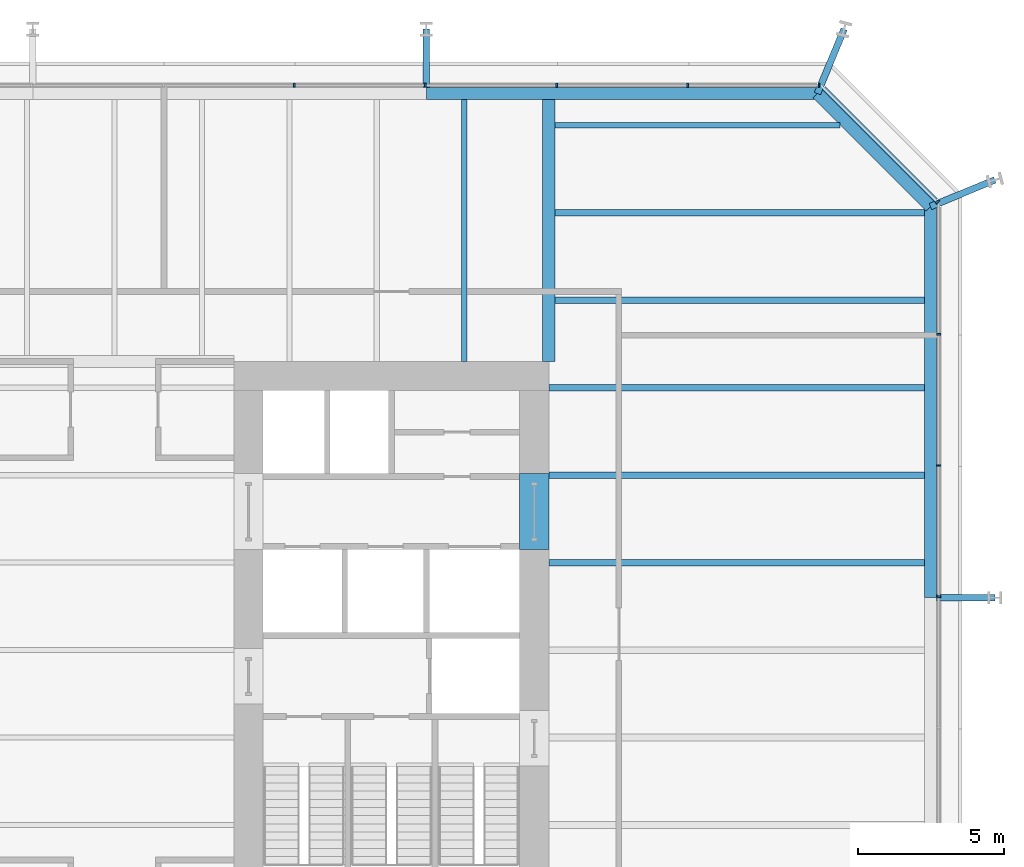
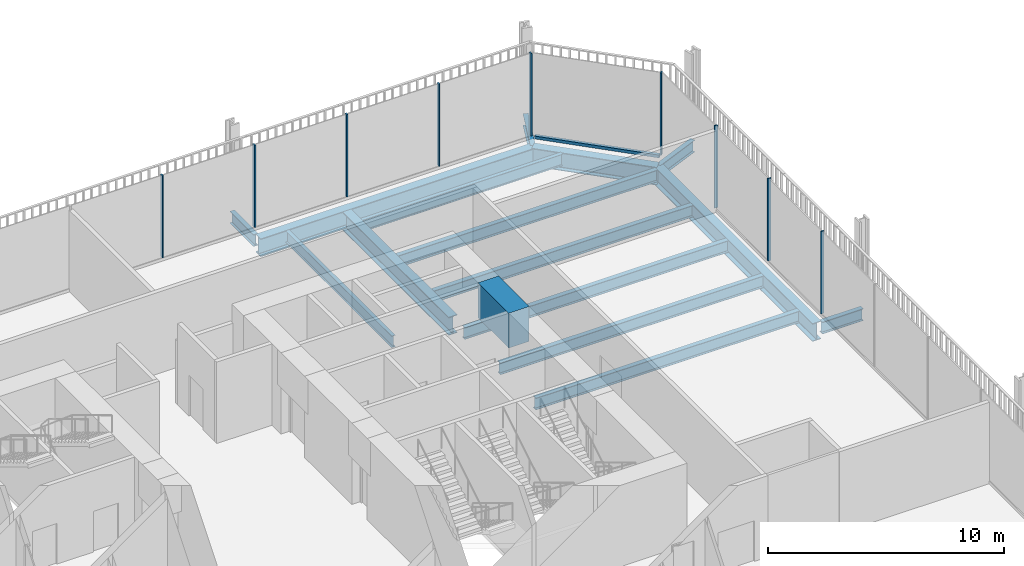
# One storey, part 14 of 20: 16 beams, 10 members, 3 elements without a shape of their own.
"""IFC4 building model written with IfcOpenShell, lengths in metres."""

from ifc_helpers import new_model, si_unit, direction, frame, origin, origin_2d, place, context, subcontext, project, spatial, rectangle, i_section, extrude, material, layer, layer_set, material_profile, profile_set, type_object, element, aggregate, save


model = new_model("IFC4")

# Units and contexts
model_context = context("Model", 3, precision=1e-05, world=origin(), true_north=direction((0.0, 1.0)))
body_context = subcontext(model_context, "Body", "Model", "MODEL_VIEW")
ifc_project = project(units=[si_unit("LENGTHUNIT", "METRE"), si_unit("AREAUNIT", "SQUARE_METRE"), si_unit("VOLUMEUNIT", "CUBIC_METRE"), si_unit("PLANEANGLEUNIT", "RADIAN"), si_unit("MASSUNIT", "GRAM", prefix="KILO")], contexts=[model_context])

# Site, building, storey
site_placement = place(None, origin())
site = spatial("IfcSite", under=ifc_project, at=site_placement, CompositionType="ELEMENT")
building_placement = place(site_placement, origin())
building = spatial("IfcBuilding", under=site, at=building_placement, Name="Millrace Tower", CompositionType="ELEMENT")
storey_placement = place(building_placement, frame((0.0, 0.0, 99.60009765625)))
storey = spatial("IfcBuildingStorey", under=building, at=storey_placement, Name="L22", CompositionType="ELEMENT", Elevation=99.60009765625)

# Curtain wall, members
ifc_material_1 = material(Name="Aluminium and glass", Category="aluminium")
ifc_layer = layer(ifc_material_1, 0.14990234375)
ifc_layer_set = layer_set([ifc_layer], Name="Aluminium and glass")
curtain_wall_type = type_object("IfcCurtainWallType", Name="CW-3 telecom floor curtain wall", PredefinedType="NOTDEFINED", material=ifc_layer_set)
placement = place(storey_placement, origin())
curtain_wall_1 = element("IfcCurtainWall", 1, at=placement, inside=storey, type_object=curtain_wall_type, Name="Curtain wall B-F04 L22", PredefinedType="NOTDEFINED")
ifc_material_2 = material(Name="Aluminium", Category="aluminium")
ifc_material_profile_1 = material_profile(ifc_material_2, rectangle(XDim=0.06494140625, YDim=0.14990234375, at=origin_2d()))
ifc_profile_set_1 = profile_set([ifc_material_profile_1], Name="Aluminium")
member_type_1 = type_object("IfcMemberType", Name="CW-3 telecom floor curtain wall mullion", PredefinedType="MULLION", material=ifc_profile_set_1)
member_1_placement = place(storey_placement, frame((28.27490234375, 1.83251953125, 0.14990234375), z_axis=(0.0, 0.0, 1.0), x_axis=(0.0, 1.0, 0.0)))
member_1 = element("IfcMember", 2, at=member_1_placement, type_object=member_type_1, Name="CW3 mullion B-F04.7", PredefinedType="MULLION", context=body_context, shape_type="SweptSolid", body=[
    extrude(rectangle(XDim=0.06494140625, YDim=0.14990234375, at=origin_2d()), origin(), (0.0, 0.0, 1.0), 4.25),
])
member_2_placement = place(storey_placement, frame((28.27490234375, 6.33251953125, 0.14990234375), z_axis=(0.0, 0.0, 1.0), x_axis=(0.0, 1.0, 0.0)))
member_2 = element("IfcMember", 3, at=member_2_placement, type_object=member_type_1, Name="CW3 mullion B-F04.8", PredefinedType="MULLION", context=body_context, shape_type="SweptSolid", body=[
    extrude(rectangle(XDim=0.06494140625, YDim=0.14990234375, at=origin_2d()), origin(), (0.0, 0.0, 1.0), 4.25),
])
member_3_placement = place(storey_placement, frame((28.27490234375, 10.83251953125, 0.14990234375), z_axis=(0.0, 0.0, 1.0), x_axis=(0.0, 1.0, 0.0)))
member_3 = element("IfcMember", 4, at=member_3_placement, type_object=member_type_1, Name="CW3 mullion B-F04.9", PredefinedType="MULLION", context=body_context, shape_type="SweptSolid", body=[
    extrude(rectangle(XDim=0.06494140625, YDim=0.14990234375, at=origin_2d()), origin(), (0.0, 0.0, 1.0), 4.25),
])
aggregate(curtain_wall_1, [member_1, member_2, member_3])

# Curtain wall, member
curtain_wall_2 = element("IfcCurtainWall", 5, at=placement, inside=storey, type_object=curtain_wall_type, Name="Curtain wall B-F05 L22", PredefinedType="NOTDEFINED")
member_4_placement = place(storey_placement, frame((28.22998046875, 15.3759765625, 0.14990234375), z_axis=(0.0, 0.0, 1.0), x_axis=(-0.707106781187, 0.707106781187, 0.0)))
member_4 = element("IfcMember", 6, at=member_4_placement, type_object=member_type_1, Name="CW3 mullion B-F05.1", PredefinedType="MULLION", context=body_context, shape_type="SweptSolid", body=[
    extrude(rectangle(XDim=0.06494140625, YDim=0.14990234375, at=origin_2d()), origin(), (0.0, 0.0, 1.0), 4.25),
])

# Curtain wall, members
curtain_wall_3 = element("IfcCurtainWall", 7, at=placement, inside=storey, type_object=curtain_wall_type, Name="Curtain wall B-F06 L22", PredefinedType="NOTDEFINED")
member_5_placement = place(storey_placement, frame((24.16748046875, 19.375, 0.14990234375), z_axis=(0.0, 0.0, 1.0), x_axis=(-1.0, 0.0, 0.0)))
member_5 = element("IfcMember", 8, at=member_5_placement, type_object=member_type_1, Name="CW3 mullion B-F06.1", PredefinedType="MULLION", context=body_context, shape_type="SweptSolid", body=[
    extrude(rectangle(XDim=0.06494140625, YDim=0.14990234375, at=origin_2d()), origin(), (0.0, 0.0, 1.0), 4.25),
])
member_6_placement = place(storey_placement, frame((19.66748046875, 19.375, 0.14990234375), z_axis=(0.0, 0.0, 1.0), x_axis=(-1.0, 0.0, 0.0)))
member_6 = element("IfcMember", 9, at=member_6_placement, type_object=member_type_1, Name="CW3 mullion B-F06.2", PredefinedType="MULLION", context=body_context, shape_type="SweptSolid", body=[
    extrude(rectangle(XDim=0.06494140625, YDim=0.14990234375, at=origin_2d()), origin(), (0.0, 0.0, 1.0), 4.25),
])
member_7_placement = place(storey_placement, frame((15.16748046875, 19.375, 0.14990234375), z_axis=(0.0, 0.0, 1.0), x_axis=(-1.0, 0.0, 0.0)))
member_7 = element("IfcMember", 10, at=member_7_placement, type_object=member_type_1, Name="CW3 mullion B-F06.3", PredefinedType="MULLION", context=body_context, shape_type="SweptSolid", body=[
    extrude(rectangle(XDim=0.06494140625, YDim=0.14990234375, at=origin_2d()), origin(), (0.0, 0.0, 1.0), 4.25),
])
member_8_placement = place(storey_placement, frame((10.66748046875, 19.375, 0.14990234375), z_axis=(0.0, 0.0, 1.0), x_axis=(-1.0, 0.0, 0.0)))
member_8 = element("IfcMember", 11, at=member_8_placement, type_object=member_type_1, Name="CW3 mullion B-F06.4", PredefinedType="MULLION", context=body_context, shape_type="SweptSolid", body=[
    extrude(rectangle(XDim=0.06494140625, YDim=0.14990234375, at=origin_2d()), origin(), (0.0, 0.0, 1.0), 4.25),
])
member_9_placement = place(storey_placement, frame((6.16748046875, 19.375, 0.14990234375), z_axis=(0.0, 0.0, 1.0), x_axis=(-1.0, 0.0, 0.0)))
member_9 = element("IfcMember", 12, at=member_9_placement, type_object=member_type_1, Name="CW3 mullion B-F06.5", PredefinedType="MULLION", context=body_context, shape_type="SweptSolid", body=[
    extrude(rectangle(XDim=0.06494140625, YDim=0.14990234375, at=origin_2d()), origin(), (0.0, 0.0, 1.0), 4.25),
])
aggregate(curtain_wall_3, [member_5, member_6, member_7, member_8, member_9])

# Member
ifc_material_3 = material(Name="Aluminium", Category="aluminium")
ifc_material_profile_2 = material_profile(ifc_material_3, rectangle(XDim=0.14990234375, YDim=0.14990234375, at=origin_2d()))
ifc_profile_set_2 = profile_set([ifc_material_profile_2], Name="Aluminium")
member_type_2 = type_object("IfcMemberType", Name="CW-3 telecom floor curtain wall transom", PredefinedType="USERDEFINED", material=ifc_profile_set_2)
member_10_placement = place(storey_placement, frame((28.182373046875, 15.423828125, 0.074951171875), z_axis=(-0.707129151258, 0.707084410407, 0.0), x_axis=(-0.707084410407, -0.707129151258, 0.0)))
member_10 = element("IfcMember", 13, at=member_10_placement, type_object=member_type_2, Name="CW3 transom B-F05.1", ObjectType="TRANSOM", PredefinedType="USERDEFINED", context=body_context, shape_type="SweptSolid", body=[
    extrude(rectangle(XDim=0.14990234375, YDim=0.14990234375, at=origin_2d()), origin(), (0.0, 0.0, 1.0), 5.456787109375),
])

aggregate(curtain_wall_2, [member_4, member_10])

# Beams
ifc_material_4 = material(Name="Concrete C80", Category="concrete")
ifc_material_profile_3 = material_profile(ifc_material_4, rectangle(XDim=1.0, YDim=1.800048828125, at=origin_2d()))
ifc_profile_set_3 = profile_set([ifc_material_profile_3], Name="Concrete C80")
beam_type_1 = type_object("IfcBeamType", Name="Coupling beam 1000 x 1800 Concrete C80, 2000 opening", PredefinedType="BEAM", material=ifc_profile_set_3)
beam_1_placement = place(storey_placement, frame((14.39990234375, 6.050048828125, 3.2998046875), z_axis=(0.0, -1.0, 0.0), x_axis=(1.0, 0.0, 0.0)))
element("IfcBeam", 14, at=beam_1_placement, inside=storey, type_object=beam_type_1, Name="Coupling beam E L22", PredefinedType="BEAM", context=body_context, shape_type="SweptSolid", body=[
    extrude(rectangle(XDim=1.0, YDim=1.800048828125, at=origin_2d()), origin(), (0.0, 0.0, 1.0), 2.60009765625),
])
ifc_material_5 = material(Name="Steel ASTM A992 Grade 50", Category="steel")
ifc_material_profile_4 = material_profile(ifc_material_5, i_section(OverallWidth=0.177978515625, OverallDepth=0.599365234375, WebThickness=0.010009765625, FlangeThickness=0.012939453125, FilletRadius=0.012939453125, at=origin_2d()))
ifc_profile_set_4 = profile_set([ifc_material_profile_4], Name="Steel ASTM A992 Grade 50")
beam_type_2 = type_object("IfcBeamType", Name="Floor beam W24x55", PredefinedType="JOIST", material=ifc_profile_set_4)
beam_2_placement = place(storey_placement, frame((12.0, 9.89990234375, -0.499755859375), z_axis=(0.0, 1.0, 0.0), x_axis=(-1.0, 0.0, 0.0)))
element("IfcBeam", 15, at=beam_2_placement, inside=storey, type_object=beam_type_2, Name="BM-B-L22-S1-S056", PredefinedType="JOIST", context=body_context, shape_type="SweptSolid", body=[
    extrude(i_section(OverallWidth=0.177978515625, OverallDepth=0.599365234375, WebThickness=0.010009765625, FlangeThickness=0.012939453125, FilletRadius=0.012939453125, at=origin_2d()), origin(), (0.0, 0.0, 1.0), 8.98095703125),
])
beam_3_placement = place(storey_placement, frame((15.11083984375, 18.0, -0.499755859375), z_axis=(1.0, 0.0, 0.0), x_axis=(0.0, 1.0, 0.0)))
element("IfcBeam", 16, at=beam_3_placement, inside=storey, type_object=beam_type_2, Name="BM-B-L22-S1-S039", PredefinedType="JOIST", context=body_context, shape_type="SweptSolid", body=[
    extrude(i_section(OverallWidth=0.177978515625, OverallDepth=0.599365234375, WebThickness=0.010009765625, FlangeThickness=0.012939453125, FilletRadius=0.012939453125, at=origin_2d()), origin(), (0.0, 0.0, 1.0), 9.7724609375),
])
ifc_material_6 = material(Name="Steel ASTM A992 Grade 50", Category="steel")
ifc_material_profile_5 = material_profile(ifc_material_6, i_section(OverallWidth=0.228271484375, OverallDepth=0.607177734375, WebThickness=0.01123046875, FlangeThickness=0.017333984375, FilletRadius=0.0126953125, at=origin_2d()))
ifc_profile_set_5 = profile_set([ifc_material_profile_5], Name="Steel ASTM A992 Grade 50")
beam_type_3 = type_object("IfcBeamType", Name="Floor beam W24x76", PredefinedType="JOIST", material=ifc_profile_set_5)
for number, where, z_axis, x_axis, name in (
    (17, (14.89990234375, 3.0, -0.503662109375), (1.0, 0.0, 0.0), (0.0, 1.0, 0.0), "BM-B-L22-S1-S027"),
    (18, (14.89990234375, 6.0, -0.503662109375), (1.0, 0.0, 0.0), (0.0, 1.0, 0.0), "BM-B-L22-S1-S030"),
    (19, (14.89990234375, 9.0, -0.503662109375), (1.0, 0.0, 0.0), (0.0, 1.0, 0.0), "BM-B-L22-S1-S033"),
):
    element("IfcBeam", number, at=place(storey_placement, frame(where, z_axis=z_axis, x_axis=x_axis)), inside=storey, type_object=beam_type_3, Name=name, PredefinedType="JOIST", context=body_context, shape_type="SweptSolid", body=[
        extrude(i_section(OverallWidth=0.228271484375, OverallDepth=0.607177734375, WebThickness=0.01123046875, FlangeThickness=0.017333984375, FilletRadius=0.0126953125, at=origin_2d()), origin(), (0.0, 0.0, 1.0), 12.881103515625),
    ])
for number, where, z_axis, x_axis, name in (
    (20, (15.11083984375, 12.0, -0.503662109375), (1.0, 0.0, 0.0), (0.0, 1.0, 0.0), "BM-B-L22-S1-S035"),
    (21, (15.11083984375, 15.0, -0.503662109375), (1.0, 0.0, 0.0), (0.0, 1.0, 0.0), "BM-B-L22-S1-S037"),
):
    element("IfcBeam", number, at=place(storey_placement, frame(where, z_axis=z_axis, x_axis=x_axis)), inside=storey, type_object=beam_type_3, Name=name, PredefinedType="JOIST", context=body_context, shape_type="SweptSolid", body=[
        extrude(i_section(OverallWidth=0.228271484375, OverallDepth=0.607177734375, WebThickness=0.01123046875, FlangeThickness=0.017333984375, FilletRadius=0.0126953125, at=origin_2d()), origin(), (0.0, 0.0, 1.0), 12.670166015625),
    ])
ifc_material_7 = material(Name="Steel ASTM A992 Grade 50", Category="steel")
ifc_material_profile_6 = material_profile(ifc_material_7, i_section(OverallWidth=0.421630859375, OverallDepth=0.937255859375, WebThickness=0.021240234375, FlangeThickness=0.03662109375, FilletRadius=0.024169921875, at=origin_2d()))
ifc_profile_set_6 = profile_set([ifc_material_profile_6], Name="Steel ASTM A992 Grade 50")
beam_type_4 = type_object("IfcBeamType", Name="Girder short span W36x262", PredefinedType="BEAM", material=ifc_profile_set_6)
beam_4_placement = place(storey_placement, frame((14.89990234375, 9.89990234375, -0.668701171875), z_axis=(0.0, 1.0, 0.0), x_axis=(-1.0, 0.0, 0.0)))
element("IfcBeam", 22, at=beam_4_placement, inside=storey, type_object=beam_type_4, Name="BM-B-L22-S1-G060", PredefinedType="BEAM", context=body_context, shape_type="SweptSolid", body=[
    extrude(i_section(OverallWidth=0.421630859375, OverallDepth=0.937255859375, WebThickness=0.021240234375, FlangeThickness=0.03662109375, FilletRadius=0.024169921875, at=origin_2d()), origin(), (0.0, 0.0, 1.0), 8.98095703125),
])
ifc_material_8 = material(Name="Steel ASTM A992 Grade 50", Category="steel")
ifc_material_profile_7 = material_profile(ifc_material_8, i_section(OverallWidth=0.23046875, OverallDepth=0.6171875, WebThickness=0.01318359375, FlangeThickness=0.022216796875, FilletRadius=0.012939453125, at=origin_2d()))
ifc_profile_set_7 = profile_set([ifc_material_profile_7], Name="Steel ASTM A992 Grade 50")
beam_type_5 = type_object("IfcBeamType", Name="Link beam W24x94", PredefinedType="BEAM", material=ifc_profile_set_7)
beam_5_placement = place(storey_placement, frame((10.699951171875, 19.300048828125, -0.5087890625), z_axis=(0.0, 1.0, 0.0), x_axis=(-1.0, 0.0, 0.0)))
element("IfcBeam", 23, at=beam_5_placement, inside=storey, type_object=beam_type_5, Name="LNK-B-L22-S1-07", PredefinedType="BEAM", context=body_context, shape_type="SweptSolid", body=[
    extrude(i_section(OverallWidth=0.23046875, OverallDepth=0.6171875, WebThickness=0.01318359375, FlangeThickness=0.022216796875, FilletRadius=0.012939453125, at=origin_2d()), origin(), (0.0, 0.0, 1.0), 2.0),
])
for number, where, z_axis, x_axis, name in (
    (24, (24.11328125, 19.09033203125, -0.5087890625), (0.382592209583, 0.923917312949, 0.0), (-0.923917312949, 0.382592209583, 0.0), "LNK-B-L22-S1-08"),
    (25, (27.990478515625, 15.213134765625, -0.5087890625), (0.92386627665, 0.382715433277, 0.0), (-0.382715433277, 0.92386627665, 0.0), "LNK-B-L22-S1-09"),
):
    element("IfcBeam", number, at=place(storey_placement, frame(where, z_axis=z_axis, x_axis=x_axis)), inside=storey, type_object=beam_type_5, Name=name, PredefinedType="BEAM", context=body_context, shape_type="SweptSolid", body=[
        extrude(i_section(OverallWidth=0.23046875, OverallDepth=0.6171875, WebThickness=0.01318359375, FlangeThickness=0.022216796875, FilletRadius=0.012939453125, at=origin_2d()), origin(), (0.0, 0.0, 1.0), 2.3916015625),
    ])
beam_6_placement = place(storey_placement, frame((28.199951171875, 1.800048828125, -0.5087890625), z_axis=(1.0, 0.0, 0.0), x_axis=(0.0, 1.0, 0.0)))
element("IfcBeam", 26, at=beam_6_placement, inside=storey, type_object=beam_type_5, Name="LNK-B-L22-S1-10", PredefinedType="BEAM", context=body_context, shape_type="SweptSolid", body=[
    extrude(i_section(OverallWidth=0.23046875, OverallDepth=0.6171875, WebThickness=0.01318359375, FlangeThickness=0.022216796875, FilletRadius=0.012939453125, at=origin_2d()), origin(), (0.0, 0.0, 1.0), 2.0),
])
ifc_material_9 = material(Name="Steel ASTM A992 Grade 50", Category="steel")
ifc_material_profile_8 = material_profile(ifc_material_9, i_section(OverallWidth=0.419189453125, OverallDepth=0.927001953125, WebThickness=0.019287109375, FlangeThickness=0.031982421875, FilletRadius=0.024169921875, at=origin_2d()))
ifc_profile_set_8 = profile_set([ifc_material_profile_8], Name="Steel ASTM A992 Grade 50")
beam_type_6 = type_object("IfcBeamType", Name="Ring beam medium span W36x231", PredefinedType="SPANDREL", material=ifc_profile_set_8)
beam_7_placement = place(storey_placement, frame((10.699951171875, 19.09033203125, -0.66357421875), z_axis=(1.0, 0.0, 0.0), x_axis=(0.0, 1.0, 0.0)))
element("IfcBeam", 27, at=beam_7_placement, inside=storey, type_object=beam_type_6, Name="RNG-B-L22-S1-07", PredefinedType="SPANDREL", context=body_context, shape_type="SweptSolid", body=[
    extrude(i_section(OverallWidth=0.419189453125, OverallDepth=0.927001953125, WebThickness=0.019287109375, FlangeThickness=0.031982421875, FilletRadius=0.024169921875, at=origin_2d()), origin(), (0.0, 0.0, 1.0), 13.413330078125),
])
beam_8_placement = place(storey_placement, frame((27.990478515625, 15.213134765625, -0.66357421875), z_axis=(0.0, -1.0, 0.0), x_axis=(1.0, 0.0, 0.0)))
element("IfcBeam", 28, at=beam_8_placement, inside=storey, type_object=beam_type_6, Name="RNG-B-L22-S1-09", PredefinedType="SPANDREL", context=body_context, shape_type="SweptSolid", body=[
    extrude(i_section(OverallWidth=0.419189453125, OverallDepth=0.927001953125, WebThickness=0.019287109375, FlangeThickness=0.031982421875, FilletRadius=0.024169921875, at=origin_2d()), origin(), (0.0, 0.0, 1.0), 13.4130859375),
])
ifc_material_10 = material(Name="Steel ASTM A992 Grade 50", Category="steel")
ifc_material_profile_9 = material_profile(ifc_material_10, i_section(OverallWidth=0.419189453125, OverallDepth=0.927001953125, WebThickness=0.019287109375, FlangeThickness=0.031982421875, FilletRadius=0.024169921875, at=origin_2d()))
ifc_profile_set_9 = profile_set([ifc_material_profile_9], Name="Steel ASTM A992 Grade 50")
beam_type_7 = type_object("IfcBeamType", Name="Ring beam short span W36x231", PredefinedType="SPANDREL", material=ifc_profile_set_9)
beam_9_placement = place(storey_placement, frame((24.11328125, 19.09033203125, -0.66357421875), z_axis=(0.707106781187, -0.707106781187, 0.0), x_axis=(0.707106781187, 0.707106781187, 0.0)))
element("IfcBeam", 29, at=beam_9_placement, inside=storey, type_object=beam_type_7, Name="RNG-B-L22-S1-08", PredefinedType="SPANDREL", context=body_context, shape_type="SweptSolid", body=[
    extrude(i_section(OverallWidth=0.419189453125, OverallDepth=0.927001953125, WebThickness=0.019287109375, FlangeThickness=0.031982421875, FilletRadius=0.024169921875, at=origin_2d()), origin(), (0.0, 0.0, 1.0), 5.483154296875),
])

save(model, "model.ifc")
